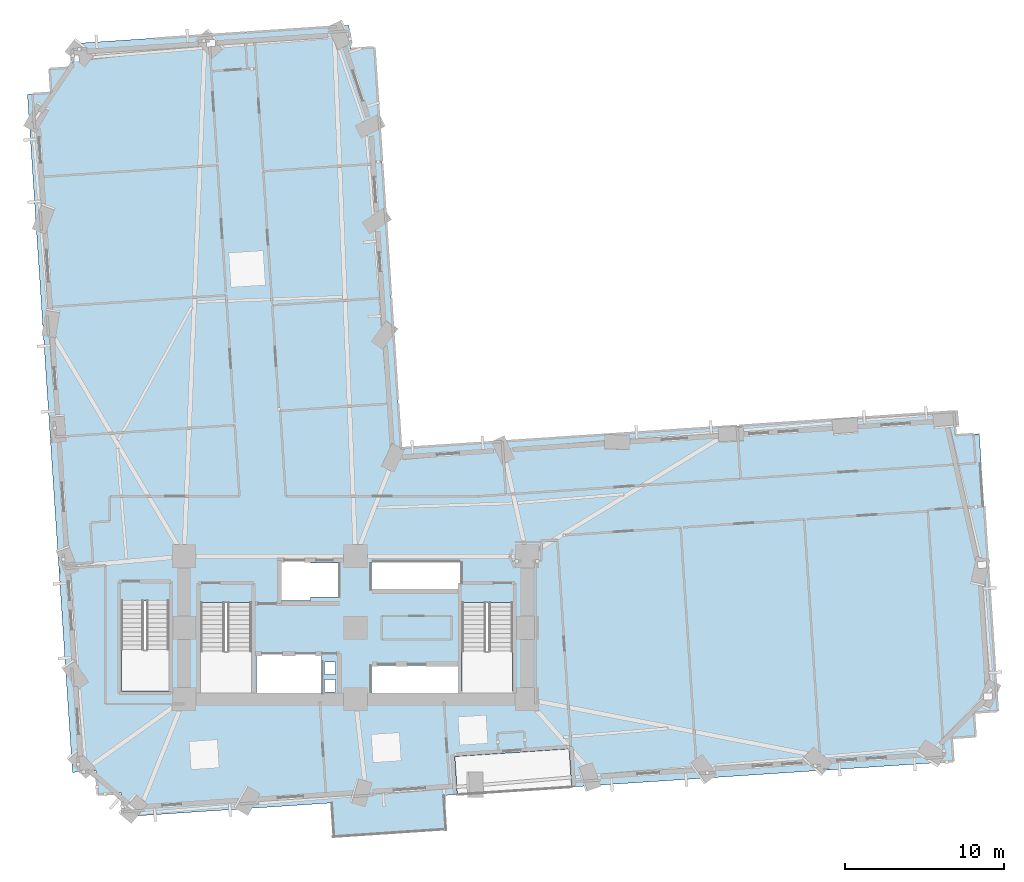
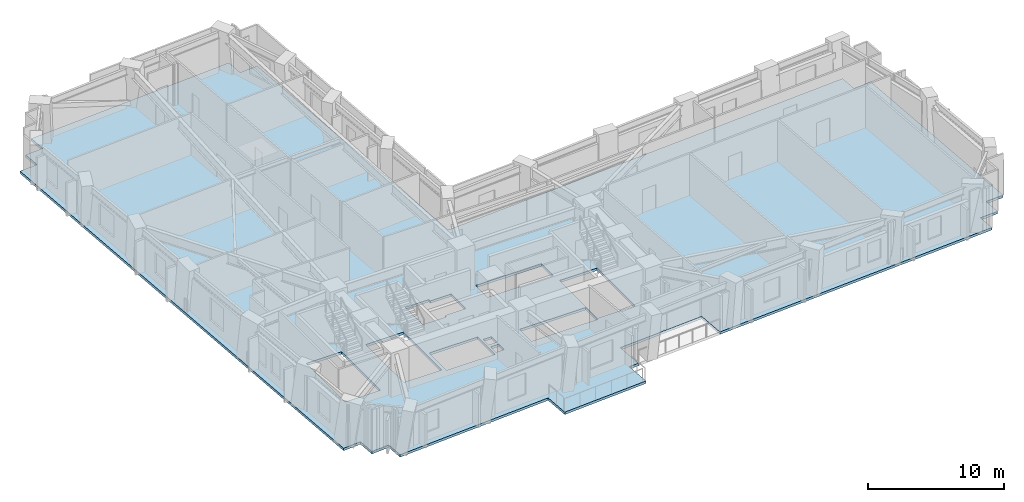
# One storey, part 4 of 14: 1 slab.
"""IFC4 building model written with IfcOpenShell, lengths in metres."""

from ifc_helpers import new_model, si_unit, direction, frame, origin, place, context, subcontext, project, spatial, polyline, outline, extrude, material, layer, layer_set, type_object, element, save


model = new_model("IFC4")

# Units and contexts
model_context = context("Model", 3, precision=1e-05, world=origin(), true_north=direction((0.0, 1.0)))
body_context = subcontext(model_context, "Body", "Model", "MODEL_VIEW")
ifc_project = project(units=[si_unit("LENGTHUNIT", "METRE"), si_unit("AREAUNIT", "SQUARE_METRE"), si_unit("VOLUMEUNIT", "CUBIC_METRE"), si_unit("PLANEANGLEUNIT", "RADIAN"), si_unit("MASSUNIT", "GRAM", prefix="KILO")], contexts=[model_context])

# Site, building, storey
site_placement = place(None, origin())
site = spatial("IfcSite", under=ifc_project, at=site_placement, CompositionType="ELEMENT")
building_placement = place(site_placement, origin())
building = spatial("IfcBuilding", under=site, at=building_placement, Name="Gaonmaruhae Medical Tower", CompositionType="ELEMENT")
storey_placement = place(building_placement, frame((0.0, 0.0, 39.0)))
storey = spatial("IfcBuildingStorey", under=building, at=storey_placement, Name="L08", CompositionType="ELEMENT", Elevation=39.0)

# Slab
ifc_material = material(Name="Concrete C40/50", Category="concrete")
ifc_layer = layer(ifc_material, 0.219970703125)
ifc_layer_set = layer_set([ifc_layer], Name="Concrete C40/50")
slab_type = type_object("IfcSlabType", Name="FS-220 Clinical Ward Composite Floor Slab", PredefinedType="FLOOR", material=ifc_layer_set)
slab_placement = place(storey_placement, frame((0.0, 0.0, -0.219970703125)))
element("IfcSlab", 1, at=slab_placement, inside=storey, type_object=slab_type, Name="L08 Structural Slab 1", PredefinedType="FLOOR", context=body_context, shape_type="SweptSolid", body=[
    extrude(outline(polyline([(10.066650390625, 1.889892578125), (8.56982421875, 1.79052734375), (8.470458984375, 3.287353515625), (6.973876953125, 3.18798828125), (4.13720703125, 45.893798828125), (5.634033203125, 45.9931640625), (5.53466796875, 47.489990234375), (7.03125, 47.58935546875), (6.931884765625, 49.0859375), (24.393310546875, 50.245849609375), (24.492919921875, 48.7490234375), (25.989501953125, 48.848388671875), (27.666259765625, 23.60400390625), (62.489501953125, 25.9169921875), (62.5888671875, 24.42041015625), (64.085693359375, 24.519775390625), (65.245361328125, 7.058349609375), (63.748779296875, 6.958740234375), (63.84814453125, 5.462158203125), (62.351318359375, 5.36279296875), (62.45068359375, 3.865966796875), (38.40673828125, 2.26904296875), (38.247802734375, 4.663818359375), (31.063720703125, 4.1865234375), (31.22265625, 1.7919921875), (30.42431640625, 1.73876953125), (30.5703125, -0.456298828125), (23.385986328125, -0.93359375), (23.240234375, 1.26171875), (10.166015625, 0.393310546875), (10.066650390625, 1.889892578125)]), holes=[polyline([(23.550048828125, 8.25), (22.85009765625, 8.25), (22.85009765625, 9.050048828125), (23.550048828125, 9.050048828125), (23.550048828125, 8.25)]), polyline([(25.824951171875, 9.925048828125), (31.425048828125, 9.925048828125), (31.425048828125, 8.175048828125), (25.824951171875, 8.175048828125), (25.824951171875, 9.925048828125)]), polyline([(22.64990234375, 10.625), (22.64990234375, 8.074951171875), (18.550048828125, 8.074951171875), (18.550048828125, 10.625), (22.64990234375, 10.625)]), polyline([(23.550048828125, 9.35009765625), (22.85009765625, 9.35009765625), (22.85009765625, 10.14990234375), (23.550048828125, 10.14990234375), (23.550048828125, 9.35009765625)]), polyline([(15.050048828125, 13.889892578125), (18.25, 13.889892578125), (18.25, 8.300048828125), (15.050048828125, 8.300048828125), (15.050048828125, 13.889892578125)]), polyline([(31.5, 13.889892578125), (34.699951171875, 13.889892578125), (34.699951171875, 8.300048828125), (31.5, 8.300048828125), (31.5, 13.889892578125)]), polyline([(10.050048828125, 13.989990234375), (13.050048828125, 13.989990234375), (13.050048828125, 8.300048828125), (10.050048828125, 8.300048828125), (10.050048828125, 13.989990234375)]), polyline([(21.949951171875, 14.02490234375), (19.949951171875, 14.02490234375), (19.949951171875, 16.574951171875), (21.949951171875, 16.574951171875), (21.949951171875, 16.375), (23.72509765625, 16.375), (23.72509765625, 14.22509765625), (21.949951171875, 14.22509765625), (21.949951171875, 14.02490234375)]), polyline([(31.425048828125, 16.425048828125), (31.425048828125, 14.675048828125), (25.824951171875, 14.675048828125), (25.824951171875, 16.425048828125), (31.425048828125, 16.425048828125)])]), origin(), (0.0, 0.0, 1.0), 0.219970703125),
])

save(model, "model.ifc")
